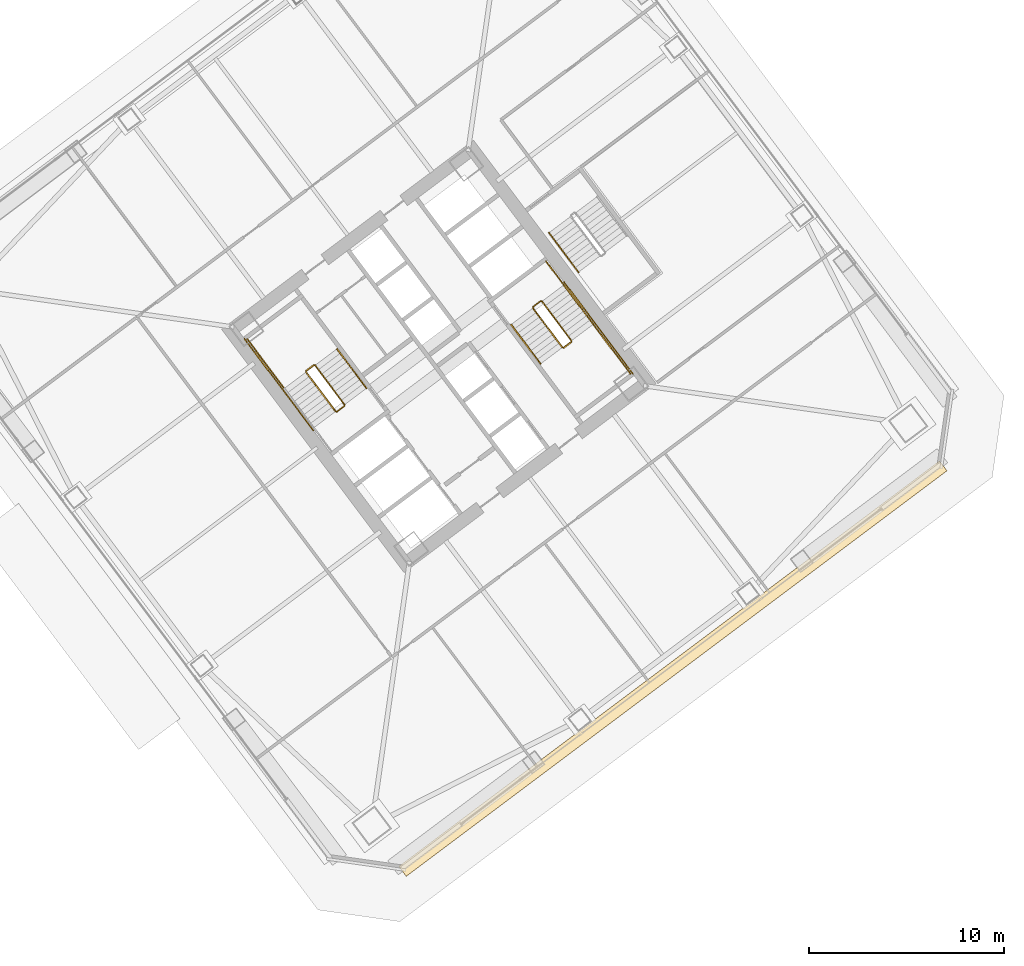
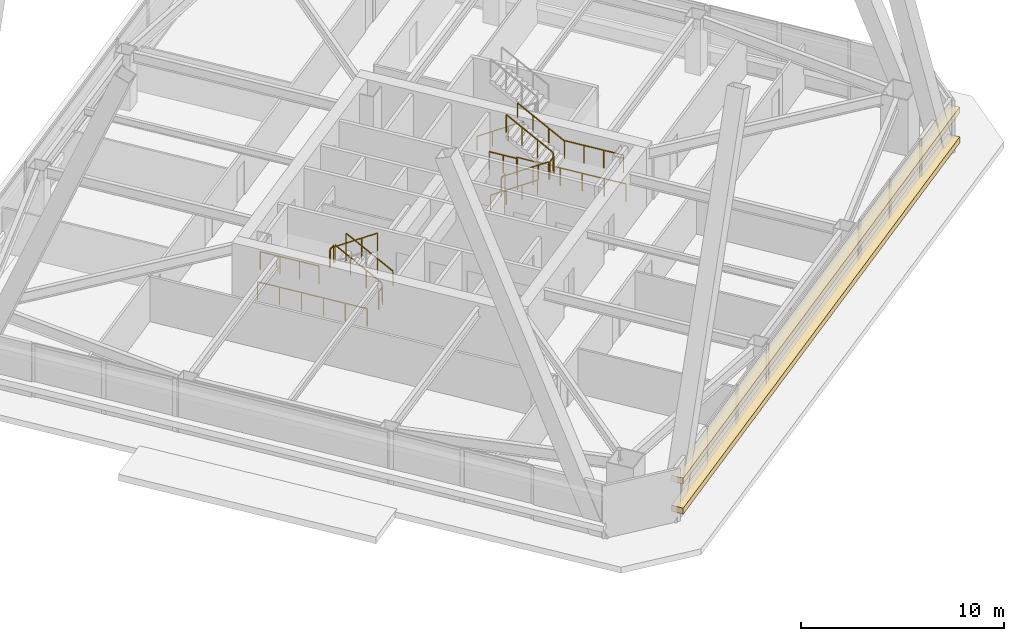
# One storey, part 64 of 67: 17 railings, 2 coverings.
"""IFC4 building model written with IfcOpenShell, lengths in metres."""

import ifcopenshell
import ifcopenshell.guid

model = None  # the IFC model being written
_history = None  # IfcOwnerHistory: only IFC2X3 demands one
_inside = {}  # id of a spatial element -> (the spatial element, [elements in it])
_under = {}  # id of a project, library or spatial element -> (it, [spatial elements below it])
_declared = {}  # id of a project -> (the project, [libraries it declares])
_typed = {}  # id of a type object -> (the type object, [elements of that type])
_made_of = {}  # id of a material, layer set ... -> (it, [elements and type objects made of it])


def new_model(schema):
    """Start an empty IFC model of exactly this schema.

    Asked for "IFC4X3", IfcOpenShell would pick the latest addendum, in which some entities
    have other attributes; the version numbers below select the first issue.
    IFC2X3 requires an IfcOwnerHistory on every rooted entity: one is made here for all.
    """
    global model, _history
    if schema == "IFC4X3":
        model = ifcopenshell.file(schema_version=(4, 3, 0, 0))
    else:
        model = ifcopenshell.file(schema=schema)
    _inside.clear()
    _under.clear()
    _declared.clear()
    _typed.clear()
    _made_of.clear()
    _history = None
    if model.schema == "IFC2X3":
        org = make("IfcOrganization", Name="unknown")
        user = make(
            "IfcPersonAndOrganization",
            ThePerson=make("IfcPerson", FamilyName="unknown"),
            TheOrganization=org,
        )
        app = make(
            "IfcApplication",
            ApplicationDeveloper=org,
            Version="unknown",
            ApplicationFullName="unknown",
            ApplicationIdentifier="unknown",
        )
        _history = make(
            "IfcOwnerHistory",
            OwningUser=user,
            OwningApplication=app,
            ChangeAction="ADDED",
            CreationDate=0,
        )
    return model


def make(cls, **values):
    """One entity of the class cls with the attributes given. An attribute that is None is left unset."""
    return model.create_entity(
        cls, **{name: value for name, value in values.items() if value is not None}
    )


def rooted(cls, **values):
    """An entity with a GlobalId (a new one), such as an element, a storey or a relation."""
    return make(cls, GlobalId=ifcopenshell.guid.new(), OwnerHistory=_history, **values)


def si_unit(unit_type, name, prefix=None):
    """IfcSIUnit, for example si_unit("LENGTHUNIT", "METRE", prefix="MILLI")."""
    return make("IfcSIUnit", UnitType=unit_type, Prefix=prefix, Name=name)


def assignment(units):
    """IfcUnitAssignment: the units of a project."""
    return None if units is None else make("IfcUnitAssignment", Units=units)


def point(xyz):
    """IfcCartesianPoint."""
    return None if xyz is None else make("IfcCartesianPoint", Coordinates=xyz)


def direction(xyz):
    """IfcDirection."""
    return None if xyz is None else make("IfcDirection", DirectionRatios=xyz)


def frame(location, z_axis=None, x_axis=None):
    """IfcAxis2Placement3D, a coordinate frame: its origin and axes. An axis left out is left unset."""
    return make(
        "IfcAxis2Placement3D",
        Location=point(location),
        Axis=direction(z_axis),
        RefDirection=direction(x_axis),
    )


def frame_2d(location, x_axis=None):
    """IfcAxis2Placement2D, a coordinate frame in the plane: its origin and x axis."""
    return make(
        "IfcAxis2Placement2D", Location=point(location), RefDirection=direction(x_axis)
    )


def origin():
    """The frame at (0, 0, 0) with its axes left unset."""
    return frame((0.0, 0.0, 0.0))


def origin_2d():
    """The frame at (0, 0) in the plane with its x axis left unset."""
    return frame_2d((0.0, 0.0))


def place(relative_to, where):
    """IfcLocalPlacement: puts the frame where relative to a parent placement (None: the world)."""
    return make(
        "IfcLocalPlacement", PlacementRelTo=relative_to, RelativePlacement=where
    )


def context(
    kind, dimensions, precision=None, world=None, true_north=None, identifier=None
):
    """IfcGeometricRepresentationContext, for example the 3D "Model" context."""
    return make(
        "IfcGeometricRepresentationContext",
        ContextIdentifier=identifier,
        ContextType=kind,
        CoordinateSpaceDimension=dimensions,
        Precision=precision,
        WorldCoordinateSystem=world,
        TrueNorth=true_north,
    )


def subcontext(parent, identifier, kind, view, scale=None):
    """IfcGeometricRepresentationSubContext, for example "Body" below "Model"."""
    return make(
        "IfcGeometricRepresentationSubContext",
        ContextIdentifier=identifier,
        ContextType=kind,
        ParentContext=parent,
        TargetScale=scale,
        TargetView=view,
    )


def project(units=None, contexts=None):
    """IfcProject with its units and contexts."""
    return rooted(
        "IfcProject",
        Name="project",
        RepresentationContexts=contexts,
        UnitsInContext=assignment(units),
    )


def spatial(cls, under=None, at=None, **own):
    """A site, building, storey or space (cls), placed at a placement, below another one or the project."""
    s = rooted(cls, ObjectPlacement=at, **own)
    if under is not None:
        _under.setdefault(under.id(), (under, []))[1].append(s)
    return s


def profile(cls, at=None, kind="AREA", **sizes):
    """A parametric profile (cls). Its sizes go by their IFC names, for example OverallWidth=200.0."""
    return make(cls, ProfileType=kind, Position=at, **sizes)


def rectangle(**sizes):
    """IfcRectangleProfileDef."""
    return profile("IfcRectangleProfileDef", **sizes)


def extrude(swept, where, along, depth):
    """IfcExtrudedAreaSolid: the profile swept, set in the frame where, extruded along a direction by depth."""
    return make(
        "IfcExtrudedAreaSolid",
        SweptArea=swept,
        Position=where,
        ExtrudedDirection=direction(along),
        Depth=depth,
    )


def shape(context_of_items, identifier, shape_type, items):
    """IfcShapeRepresentation: the items that make up one representation, for example the "Body"."""
    return make(
        "IfcShapeRepresentation",
        ContextOfItems=context_of_items,
        RepresentationIdentifier=identifier,
        RepresentationType=shape_type,
        Items=items,
    )


def material(Name=None, Category=None):
    """IfcMaterial."""
    return make("IfcMaterial", Name=Name, Category=Category)


def layer(
    of_material, thickness, ventilated=None, Name=None, Category=None, Priority=None
):
    """IfcMaterialLayer: one layer of a wall or slab, of a material (None: an air gap)."""
    return make(
        "IfcMaterialLayer",
        Material=of_material,
        LayerThickness=thickness,
        IsVentilated=ventilated,
        Name=Name,
        Category=Category,
        Priority=Priority,
    )


def layer_set(layers, Name=None):
    """IfcMaterialLayerSet."""
    return make("IfcMaterialLayerSet", MaterialLayers=layers, LayerSetName=Name)


def made_of(thing, what):
    """Note that an element or type object is made of a material, layer set ...; save() writes the relation."""
    if what is not None:
        _made_of.setdefault(what.id(), (what, []))[1].append(thing)
    return thing


def type_object(cls, material=None, **own):
    """A type object (cls), such as IfcWallType, which elements share."""
    return made_of(rooted(cls, **own), material)


def element(
    cls,
    number,
    at=None,
    inside=None,
    cuts=None,
    type_object=None,
    material=None,
    context=None,
    identifier="Body",
    shape_type=None,
    held_by="IfcProductDefinitionShape",
    body=None,
    shapes=None,
    **own,
):
    """One element of the class cls, such as IfcWall. Its Tag is "e" and its number.

    at: its placement. inside: the storey or other place that contains it. cuts: it is an
    opening in that element (IfcRelVoidsElement). A single representation is given by context,
    identifier, shape_type and body (its items); several are given by shapes. held_by: the class
    of the entity that holds the representations. save() writes the other relations.
    """
    e = rooted(cls, Tag="e%d" % number, ObjectPlacement=at, **own)
    if body is not None:
        shapes = [shape(context, identifier, shape_type, body)]
    if shapes is not None:
        e.Representation = make(held_by, Representations=shapes)
    if inside is not None:
        _inside.setdefault(inside.id(), (inside, []))[1].append(e)
    if cuts is not None:
        rooted(
            "IfcRelVoidsElement", RelatingBuildingElement=cuts, RelatedOpeningElement=e
        )
    if type_object is not None:
        _typed.setdefault(type_object.id(), (type_object, []))[1].append(e)
    return made_of(e, material)


def aggregate(whole, parts):
    """IfcRelAggregates: a whole, such as a stair, and the parts it consists of."""
    return rooted("IfcRelAggregates", RelatingObject=whole, RelatedObjects=parts)


def save(model, path):
    """Write the relations noted so far, then the file.

    IfcRelAggregates (storeys below a building ...), IfcRelContainedInSpatialStructure (elements
    in a storey), IfcRelDefinesByType, IfcRelAssociatesMaterial and IfcRelDeclares: one each for
    every whole, place, type object, material and project.
    """
    for whole, parts in _under.values():
        aggregate(whole, parts)
    for where, things in _inside.values():
        rooted(
            "IfcRelContainedInSpatialStructure",
            RelatedElements=things,
            RelatingStructure=where,
        )
    for kind, things in _typed.values():
        rooted("IfcRelDefinesByType", RelatedObjects=things, RelatingType=kind)
    for what, things in _made_of.values():
        rooted("IfcRelAssociatesMaterial", RelatedObjects=things, RelatingMaterial=what)
    for by, libraries in _declared.values():
        rooted("IfcRelDeclares", RelatingContext=by, RelatedDefinitions=libraries)
    model.write(path)


model = new_model("IFC4")

# Units and contexts
model_context = context("Model", 3, precision=1e-05, world=origin(), true_north=direction((0.0, 1.0)))
body_context = subcontext(model_context, "Body", "Model", "MODEL_VIEW")
ifc_project = project(units=[si_unit("LENGTHUNIT", "METRE"), si_unit("AREAUNIT", "SQUARE_METRE"), si_unit("VOLUMEUNIT", "CUBIC_METRE"), si_unit("PLANEANGLEUNIT", "RADIAN"), si_unit("MASSUNIT", "GRAM", prefix="KILO")], contexts=[model_context])

# Site, building, storey
site_placement = place(None, origin())
site = spatial("IfcSite", under=ifc_project, at=site_placement, CompositionType="ELEMENT")
building_placement = place(site_placement, origin())
building = spatial("IfcBuilding", under=site, at=building_placement, Name="Tashvorn Skyway Center", CompositionType="ELEMENT")
storey_placement = place(building_placement, frame((0.0, 0.0, 67.199951171875)))
storey = spatial("IfcBuildingStorey", under=building, at=storey_placement, Name="L17", CompositionType="ELEMENT", Elevation=67.199951171875)

# Coverings
ifc_material_1 = material(Name="Perforated ceramic-coated bronze aluminium solar screen", Category="aluminium")
ifc_layer = layer(ifc_material_1, 0.85009765625)
ifc_layer_set = layer_set([ifc_layer], Name="Perforated ceramic-coated bronze aluminium solar screen")
covering_type = type_object("IfcCoveringType", Name="COV-SOLAR-BAND", PredefinedType="CLADDING", material=ifc_layer_set)
for number, where, z_axis, x_axis, name in (
    (1, (126.011962890625, 15.98388671875, 0.919921875), (0.0, 0.0, 1.0), (-0.799999996291, -0.600000004945, 0.0), "L17 Perforated Ceramic-Metal Solar Screen Louvre Band South 1"),
    (2, (126.011962890625, 15.98388671875, 2.72021484375), (0.0, 0.0, 1.0), (-0.799999996291, -0.600000004945, 0.0), "L17 Perforated Ceramic-Metal Solar Screen Louvre Band South 2"),
):
    element("IfcCovering", number, at=place(storey_placement, frame(where, z_axis=z_axis, x_axis=x_axis)), inside=storey, type_object=covering_type, Name=name, PredefinedType="CLADDING", context=body_context, shape_type="SweptSolid", body=[
        extrude(rectangle(XDim=34.679931640625, YDim=0.639892578125, at=origin_2d()), origin(), (0.0, 0.0, 1.0), 0.360107421875),
    ])

# Railings
ifc_material_2 = material(Name="Brushed stainless steel 316", Category="steel")
railing_type_1 = type_object("IfcRailingType", Name="RAIL-HAND-920", PredefinedType="HANDRAIL", material=ifc_material_2)
railing_1_placement = place(storey_placement, frame((110.2880859375, 30.365966796875, 0.177490234375)))
element("IfcRailing", 3, at=railing_1_placement, inside=storey, type_object=railing_type_1, Name="L17 ST-T2-1 stair handrail 1", PredefinedType="HANDRAIL", context=body_context, shape_type="SweptSolid", body=[
    extrude(rectangle(XDim=0.048095703125, YDim=0.048095703125, at=origin_2d()), frame((0.0, 0.0, 0.8759765625), z_axis=(-0.506779409603, 0.675651334276, 0.53541563714), x_axis=(-0.799976749893, -0.600030998891, 0.0)), (0.0, 0.0, 1.0), 2.98388671875),
    extrude(rectangle(XDim=0.0419921875, YDim=0.0419921875, at=origin_2d()), origin(), (0.0, 0.0, 1.0), 0.851806640625),
    extrude(rectangle(XDim=0.0419921875, YDim=0.0419921875, at=origin_2d()), frame((-0.504150390625, 0.672119140625, 0.532470703125)), (0.0, 0.0, 1.0), 0.851806640625),
    extrude(rectangle(XDim=0.0419921875, YDim=0.0419921875, at=origin_2d()), frame((-1.008056640625, 1.343994140625, 1.065185546875)), (0.0, 0.0, 1.0), 0.851806640625),
    extrude(rectangle(XDim=0.0419921875, YDim=0.0419921875, at=origin_2d()), frame((-1.51220703125, 2.01611328125, 1.59765625)), (0.0, 0.0, 1.0), 0.851806640625),
])
railing_2_placement = place(storey_placement, frame((117.7119140625, 33.634033203125, 0.177490234375)))
element("IfcRailing", 4, at=railing_2_placement, inside=storey, type_object=railing_type_1, Name="L17 ST-T2-2 stair handrail 1", PredefinedType="HANDRAIL", context=body_context, shape_type="SweptSolid", body=[
    extrude(rectangle(XDim=0.048095703125, YDim=0.048095703125, at=origin_2d()), frame((0.0, 0.0, 0.8759765625), z_axis=(0.506779409603, -0.675651334276, 0.53541563714), x_axis=(0.799976749893, 0.600030998891, 0.0)), (0.0, 0.0, 1.0), 2.98388671875),
    extrude(rectangle(XDim=0.0419921875, YDim=0.0419921875, at=origin_2d()), origin(), (0.0, 0.0, 1.0), 0.851806640625),
    extrude(rectangle(XDim=0.0419921875, YDim=0.0419921875, at=origin_2d()), frame((0.504150390625, -0.672119140625, 0.532470703125)), (0.0, 0.0, 1.0), 0.851806640625),
    extrude(rectangle(XDim=0.0419921875, YDim=0.0419921875, at=origin_2d()), frame((1.008056640625, -1.343994140625, 1.065185546875)), (0.0, 0.0, 1.0), 0.851806640625),
    extrude(rectangle(XDim=0.0419921875, YDim=0.0419921875, at=origin_2d()), frame((1.51220703125, -2.01611328125, 1.59765625)), (0.0, 0.0, 1.0), 0.851806640625),
])
railing_3_placement = place(storey_placement, frame((121.927978515625, 33.64599609375, 1.95263671875)))
element("IfcRailing", 5, at=railing_3_placement, inside=storey, type_object=railing_type_1, Name="L17 ST-T2-2 stair handrail 2", PredefinedType="HANDRAIL", context=body_context, shape_type="SweptSolid", body=[
    extrude(rectangle(XDim=0.048095703125, YDim=0.048095703125, at=origin_2d()), frame((0.0, 0.0, 0.8759765625), z_axis=(-0.506740800098, 0.675708949977, 0.535379469569), x_axis=(-0.800023250257, -0.599968998406, 0.0)), (0.0, 0.0, 1.0), 2.983642578125),
    extrude(rectangle(XDim=0.0419921875, YDim=0.0419921875, at=origin_2d()), origin(), (0.0, 0.0, 1.0), 0.851806640625),
    extrude(rectangle(XDim=0.0419921875, YDim=0.0419921875, at=origin_2d()), frame((-0.50390625, 0.672119140625, 0.532470703125)), (0.0, 0.0, 1.0), 0.851806640625),
    extrude(rectangle(XDim=0.0419921875, YDim=0.0419921875, at=origin_2d()), frame((-1.008056640625, 1.343994140625, 1.06494140625)), (0.0, 0.0, 1.0), 0.851806640625),
    extrude(rectangle(XDim=0.0419921875, YDim=0.0419921875, at=origin_2d()), frame((-1.511962890625, 2.01611328125, 1.597412109375)), (0.0, 0.0, 1.0), 0.851806640625),
])
railing_4_placement = place(storey_placement, frame((119.656005859375, 38.342041015625, 0.177490234375)))
element("IfcRailing", 6, at=railing_4_placement, inside=storey, type_object=railing_type_1, Name="L17 ST-T2-3 stair handrail 1", PredefinedType="HANDRAIL", context=body_context, shape_type="SweptSolid", body=[
    extrude(rectangle(XDim=0.048095703125, YDim=0.048095703125, at=origin_2d()), frame((0.0, 0.0, 0.8759765625), z_axis=(0.506718600913, -0.675679348675, 0.535437836974), x_axis=(0.800023250257, 0.599968998406, 0.0)), (0.0, 0.0, 1.0), 2.98388671875),
    extrude(rectangle(XDim=0.0419921875, YDim=0.0419921875, at=origin_2d()), origin(), (0.0, 0.0, 1.0), 0.851806640625),
    extrude(rectangle(XDim=0.0419921875, YDim=0.0419921875, at=origin_2d()), frame((0.50390625, -0.672119140625, 0.532470703125)), (0.0, 0.0, 1.0), 0.851806640625),
    extrude(rectangle(XDim=0.0419921875, YDim=0.0419921875, at=origin_2d()), frame((1.008056640625, -1.343994140625, 1.065185546875)), (0.0, 0.0, 1.0), 0.851806640625),
    extrude(rectangle(XDim=0.0419921875, YDim=0.0419921875, at=origin_2d()), frame((1.511962890625, -2.01611328125, 1.59765625)), (0.0, 0.0, 1.0), 0.851806640625),
])
ifc_material_3 = material(Name="Painted galvanized steel S355", Category="steel")
railing_type_2 = type_object("IfcRailingType", Name="RAIL-STGUARD-1100", PredefinedType="GUARDRAIL", material=ifc_material_3)
railing_5_placement = place(storey_placement, frame((109.16796875, 29.52587890625, 0.177490234375)))
element("IfcRailing", 7, at=railing_5_placement, inside=storey, type_object=railing_type_2, Name="L17 ST-T2-1 stair guard 1", PredefinedType="GUARDRAIL", context=body_context, shape_type="SweptSolid", body=[
    extrude(rectangle(XDim=0.048095703125, YDim=0.048095703125, at=origin_2d()), frame((0.0, 0.0, 1.076171875), z_axis=(-0.506718600913, 0.675679348675, 0.535437836974), x_axis=(-0.800023250257, -0.599968998406, 0.0)), (0.0, 0.0, 1.0), 2.98388671875),
    extrude(rectangle(XDim=0.0419921875, YDim=0.0419921875, at=origin_2d()), origin(), (0.0, 0.0, 1.0), 1.052001953125),
    extrude(rectangle(XDim=0.0419921875, YDim=0.0419921875, at=origin_2d()), frame((-0.50390625, 0.672119140625, 0.532470703125)), (0.0, 0.0, 1.0), 1.052001953125),
    extrude(rectangle(XDim=0.0419921875, YDim=0.0419921875, at=origin_2d()), frame((-1.008056640625, 1.343994140625, 1.065185546875)), (0.0, 0.0, 1.0), 1.052001953125),
    extrude(rectangle(XDim=0.0419921875, YDim=0.0419921875, at=origin_2d()), frame((-1.511962890625, 2.01611328125, 1.59765625)), (0.0, 0.0, 1.0), 1.052001953125),
])
railing_6_placement = place(storey_placement, frame((107.5859375, 31.552001953125, 1.775146484375)))
element("IfcRailing", 8, at=railing_6_placement, inside=storey, type_object=railing_type_2, Name="L17 ST-T2-1 stair guard 2", PredefinedType="GUARDRAIL", context=body_context, shape_type="SweptSolid", body=[
    extrude(rectangle(XDim=0.048095703125, YDim=0.048095703125, at=origin_2d()), frame((0.0, 0.0, 1.076171875), z_axis=(-0.799938970639, -0.600081363861, 0.0), x_axis=(0.600081363861, -0.799938970639, 0.0)), (0.0, 0.0, 1.0), 0.47998046875),
    extrude(rectangle(XDim=0.0419921875, YDim=0.0419921875, at=origin_2d()), origin(), (0.0, 0.0, 1.0), 1.052001953125),
    extrude(rectangle(XDim=0.0419921875, YDim=0.0419921875, at=origin_2d()), frame((-0.384033203125, -0.2880859375, 0.0)), (0.0, 0.0, 1.0), 1.052001953125),
])
railing_7_placement = place(storey_placement, frame((106.072021484375, 30.35400390625, 1.775146484375)))
element("IfcRailing", 9, at=railing_7_placement, inside=storey, type_object=railing_type_2, Name="L17 ST-T2-1 stair guard 3", PredefinedType="GUARDRAIL", context=body_context, shape_type="SweptSolid", body=[
    extrude(rectangle(XDim=0.048095703125, YDim=0.048095703125, at=origin_2d()), frame((0.0, 0.0, 1.076171875), z_axis=(-0.599987638607, 0.800009270896, 0.0), x_axis=(-0.800009270896, -0.599987638607, 0.0)), (0.0, 0.0, 1.0), 3.16015625),
    extrude(rectangle(XDim=0.0419921875, YDim=0.0419921875, at=origin_2d()), origin(), (0.0, 0.0, 1.0), 1.052001953125),
    extrude(rectangle(XDim=0.0419921875, YDim=0.0419921875, at=origin_2d()), frame((-0.632080078125, 0.8427734375, 0.0)), (0.0, 0.0, 1.0), 1.052001953125),
    extrude(rectangle(XDim=0.0419921875, YDim=0.0419921875, at=origin_2d()), frame((-1.263916015625, 1.685302734375, 0.0)), (0.0, 0.0, 1.0), 1.052001953125),
    extrude(rectangle(XDim=0.0419921875, YDim=0.0419921875, at=origin_2d()), frame((-1.89599609375, 2.528076171875, 0.0)), (0.0, 0.0, 1.0), 1.052001953125),
])
railing_8_placement = place(storey_placement, frame((107.19189453125, 31.194091796875, 1.95263671875)))
element("IfcRailing", 10, at=railing_8_placement, inside=storey, type_object=railing_type_2, Name="L17 ST-T2-1 stair guard 4", PredefinedType="GUARDRAIL", context=body_context, shape_type="SweptSolid", body=[
    extrude(rectangle(XDim=0.048095703125, YDim=0.048095703125, at=origin_2d()), frame((0.0, 0.0, 1.076171875), z_axis=(0.506801609611, -0.675680931896, 0.535357270211), x_axis=(0.799976749893, 0.600030998891, 0.0)), (0.0, 0.0, 1.0), 2.98388671875),
    extrude(rectangle(XDim=0.0419921875, YDim=0.0419921875, at=origin_2d()), origin(), (0.0, 0.0, 1.0), 1.052001953125),
    extrude(rectangle(XDim=0.0419921875, YDim=0.0419921875, at=origin_2d()), frame((0.504150390625, -0.672119140625, 0.532470703125)), (0.0, 0.0, 1.0), 1.052001953125),
    extrude(rectangle(XDim=0.0419921875, YDim=0.0419921875, at=origin_2d()), frame((1.008056640625, -1.343994140625, 1.06494140625)), (0.0, 0.0, 1.0), 1.052001953125),
    extrude(rectangle(XDim=0.0419921875, YDim=0.0419921875, at=origin_2d()), frame((1.51220703125, -2.01611328125, 1.597412109375)), (0.0, 0.0, 1.0), 1.052001953125),
])
railing_9_placement = place(storey_placement, frame((109.157958984375, 29.4560546875, 0.0)))
element("IfcRailing", 11, at=railing_9_placement, inside=storey, type_object=railing_type_2, Name="L17 ST-T2-1 stair guard 5", PredefinedType="GUARDRAIL", context=body_context, shape_type="SweptSolid", body=[
    extrude(rectangle(XDim=0.048095703125, YDim=0.048095703125, at=origin_2d()), frame((0.0, 0.0, 1.076171875), z_axis=(-0.799938970639, -0.600081363861, 0.0), x_axis=(0.600081363861, -0.799938970639, 0.0)), (0.0, 0.0, 1.0), 0.47998046875),
    extrude(rectangle(XDim=0.0419921875, YDim=0.0419921875, at=origin_2d()), origin(), (0.0, 0.0, 1.0), 1.052001953125),
    extrude(rectangle(XDim=0.0419921875, YDim=0.0419921875, at=origin_2d()), frame((-0.384033203125, -0.2880859375, 0.0)), (0.0, 0.0, 1.0), 1.052001953125),
])
railing_10_placement = place(storey_placement, frame((107.56396484375, 28.197998046875, 0.0)))
element("IfcRailing", 12, at=railing_10_placement, inside=storey, type_object=railing_type_2, Name="L17 ST-T2-1 stair guard 7", PredefinedType="GUARDRAIL", context=body_context, shape_type="SweptSolid", body=[
    extrude(rectangle(XDim=0.048095703125, YDim=0.048095703125, at=origin_2d()), frame((0.0, 0.0, 1.076171875), z_axis=(-0.6, 0.8, 0.0), x_axis=(-0.8, -0.6, 0.0)), (0.0, 0.0, 1.0), 5.880126953125),
    extrude(rectangle(XDim=0.0419921875, YDim=0.0419921875, at=origin_2d()), origin(), (0.0, 0.0, 1.0), 1.052001953125),
    extrude(rectangle(XDim=0.0419921875, YDim=0.0419921875, at=origin_2d()), frame((-0.70556640625, 0.94091796875, 0.0)), (0.0, 0.0, 1.0), 1.052001953125),
    extrude(rectangle(XDim=0.0419921875, YDim=0.0419921875, at=origin_2d()), frame((-1.4111328125, 1.881591796875, 0.0)), (0.0, 0.0, 1.0), 1.052001953125),
    extrude(rectangle(XDim=0.0419921875, YDim=0.0419921875, at=origin_2d()), frame((-2.116943359375, 2.822509765625, 0.0)), (0.0, 0.0, 1.0), 1.052001953125),
    extrude(rectangle(XDim=0.0419921875, YDim=0.0419921875, at=origin_2d()), frame((-2.822509765625, 3.76318359375, 0.0)), (0.0, 0.0, 1.0), 1.052001953125),
    extrude(rectangle(XDim=0.0419921875, YDim=0.0419921875, at=origin_2d()), frame((-3.528076171875, 4.7041015625, 0.0)), (0.0, 0.0, 1.0), 1.052001953125),
])
railing_11_placement = place(storey_placement, frame((118.83203125, 34.47412109375, 0.177490234375)))
element("IfcRailing", 13, at=railing_11_placement, inside=storey, type_object=railing_type_2, Name="L17 ST-T2-2 stair guard 1", PredefinedType="GUARDRAIL", context=body_context, shape_type="SweptSolid", body=[
    extrude(rectangle(XDim=0.048095703125, YDim=0.048095703125, at=origin_2d()), frame((0.0, 0.0, 1.076171875), z_axis=(0.506718600913, -0.675679348675, 0.535437836974), x_axis=(0.800023250257, 0.599968998406, 0.0)), (0.0, 0.0, 1.0), 2.98388671875),
    extrude(rectangle(XDim=0.0419921875, YDim=0.0419921875, at=origin_2d()), origin(), (0.0, 0.0, 1.0), 1.052001953125),
    extrude(rectangle(XDim=0.0419921875, YDim=0.0419921875, at=origin_2d()), frame((0.50390625, -0.672119140625, 0.532470703125)), (0.0, 0.0, 1.0), 1.052001953125),
    extrude(rectangle(XDim=0.0419921875, YDim=0.0419921875, at=origin_2d()), frame((1.008056640625, -1.343994140625, 1.065185546875)), (0.0, 0.0, 1.0), 1.052001953125),
    extrude(rectangle(XDim=0.0419921875, YDim=0.0419921875, at=origin_2d()), frame((1.511962890625, -2.01611328125, 1.59765625)), (0.0, 0.0, 1.0), 1.052001953125),
])
railing_12_placement = place(storey_placement, frame((120.4140625, 32.447998046875, 1.775146484375)))
element("IfcRailing", 14, at=railing_12_placement, inside=storey, type_object=railing_type_2, Name="L17 ST-T2-2 stair guard 2", PredefinedType="GUARDRAIL", context=body_context, shape_type="SweptSolid", body=[
    extrude(rectangle(XDim=0.048095703125, YDim=0.048095703125, at=origin_2d()), frame((0.0, 0.0, 1.076171875), z_axis=(0.799938970639, 0.600081363861, 0.0), x_axis=(-0.600081363861, 0.799938970639, 0.0)), (0.0, 0.0, 1.0), 0.47998046875),
    extrude(rectangle(XDim=0.0419921875, YDim=0.0419921875, at=origin_2d()), origin(), (0.0, 0.0, 1.0), 1.052001953125),
    extrude(rectangle(XDim=0.0419921875, YDim=0.0419921875, at=origin_2d()), frame((0.384033203125, 0.2880859375, 0.0)), (0.0, 0.0, 1.0), 1.052001953125),
])
railing_13_placement = place(storey_placement, frame((121.927978515625, 33.64599609375, 1.775146484375)))
element("IfcRailing", 15, at=railing_13_placement, inside=storey, type_object=railing_type_2, Name="L17 ST-T2-2 stair guard 3", PredefinedType="GUARDRAIL", context=body_context, shape_type="SweptSolid", body=[
    extrude(rectangle(XDim=0.048095703125, YDim=0.048095703125, at=origin_2d()), frame((0.0, 0.0, 1.076171875), z_axis=(0.599987638607, -0.800009270896, 0.0), x_axis=(0.800009270896, 0.599987638607, 0.0)), (0.0, 0.0, 1.0), 3.16015625),
    extrude(rectangle(XDim=0.0419921875, YDim=0.0419921875, at=origin_2d()), origin(), (0.0, 0.0, 1.0), 1.052001953125),
    extrude(rectangle(XDim=0.0419921875, YDim=0.0419921875, at=origin_2d()), frame((0.632080078125, -0.8427734375, 0.0)), (0.0, 0.0, 1.0), 1.052001953125),
    extrude(rectangle(XDim=0.0419921875, YDim=0.0419921875, at=origin_2d()), frame((1.263916015625, -1.685302734375, 0.0)), (0.0, 0.0, 1.0), 1.052001953125),
    extrude(rectangle(XDim=0.0419921875, YDim=0.0419921875, at=origin_2d()), frame((1.89599609375, -2.528076171875, 0.0)), (0.0, 0.0, 1.0), 1.052001953125),
])
railing_14_placement = place(storey_placement, frame((120.80810546875, 32.805908203125, 1.95263671875)))
element("IfcRailing", 16, at=railing_14_placement, inside=storey, type_object=railing_type_2, Name="L17 ST-T2-2 stair guard 4", PredefinedType="GUARDRAIL", context=body_context, shape_type="SweptSolid", body=[
    extrude(rectangle(XDim=0.048095703125, YDim=0.048095703125, at=origin_2d()), frame((0.0, 0.0, 1.076171875), z_axis=(-0.506801609611, 0.675680931896, 0.535357270211), x_axis=(-0.799976749893, -0.600030998891, 0.0)), (0.0, 0.0, 1.0), 2.98388671875),
    extrude(rectangle(XDim=0.0419921875, YDim=0.0419921875, at=origin_2d()), origin(), (0.0, 0.0, 1.0), 1.052001953125),
    extrude(rectangle(XDim=0.0419921875, YDim=0.0419921875, at=origin_2d()), frame((-0.504150390625, 0.672119140625, 0.532470703125)), (0.0, 0.0, 1.0), 1.052001953125),
    extrude(rectangle(XDim=0.0419921875, YDim=0.0419921875, at=origin_2d()), frame((-1.008056640625, 1.343994140625, 1.06494140625)), (0.0, 0.0, 1.0), 1.052001953125),
    extrude(rectangle(XDim=0.0419921875, YDim=0.0419921875, at=origin_2d()), frame((-1.51220703125, 2.01611328125, 1.597412109375)), (0.0, 0.0, 1.0), 1.052001953125),
])
railing_15_placement = place(storey_placement, frame((118.842041015625, 34.5439453125, 0.0)))
element("IfcRailing", 17, at=railing_15_placement, inside=storey, type_object=railing_type_2, Name="L17 ST-T2-2 stair guard 5", PredefinedType="GUARDRAIL", context=body_context, shape_type="SweptSolid", body=[
    extrude(rectangle(XDim=0.048095703125, YDim=0.048095703125, at=origin_2d()), frame((0.0, 0.0, 1.076171875), z_axis=(0.799938970639, 0.600081363861, 0.0), x_axis=(-0.600081363861, 0.799938970639, 0.0)), (0.0, 0.0, 1.0), 0.47998046875),
    extrude(rectangle(XDim=0.0419921875, YDim=0.0419921875, at=origin_2d()), origin(), (0.0, 0.0, 1.0), 1.052001953125),
    extrude(rectangle(XDim=0.0419921875, YDim=0.0419921875, at=origin_2d()), frame((0.384033203125, 0.2880859375, 0.0)), (0.0, 0.0, 1.0), 1.052001953125),
])
railing_16_placement = place(storey_placement, frame((119.50390625, 36.8779296875, 0.0)))
element("IfcRailing", 18, at=railing_16_placement, inside=storey, type_object=railing_type_2, Name="L17 ST-T2-2 stair guard 6", PredefinedType="GUARDRAIL", context=body_context, shape_type="SweptSolid", body=[
    extrude(rectangle(XDim=0.048095703125, YDim=0.048095703125, at=origin_2d()), frame((0.0, 0.0, 1.076171875), z_axis=(0.600102796382, -0.799922892393, 0.0), x_axis=(0.799922892393, 0.600102796382, 0.0)), (0.0, 0.0, 1.0), 1.52001953125),
    extrude(rectangle(XDim=0.0419921875, YDim=0.0419921875, at=origin_2d()), origin(), (0.0, 0.0, 1.0), 1.052001953125),
    extrude(rectangle(XDim=0.0419921875, YDim=0.0419921875, at=origin_2d()), frame((0.4560546875, -0.60791015625, 0.0)), (0.0, 0.0, 1.0), 1.052001953125),
    extrude(rectangle(XDim=0.0419921875, YDim=0.0419921875, at=origin_2d()), frame((0.912109375, -1.2158203125, 0.0)), (0.0, 0.0, 1.0), 1.052001953125),
])
railing_17_placement = place(storey_placement, frame((120.43603515625, 35.802001953125, 0.0)))
element("IfcRailing", 19, at=railing_17_placement, inside=storey, type_object=railing_type_2, Name="L17 ST-T2-2 stair guard 7", PredefinedType="GUARDRAIL", context=body_context, shape_type="SweptSolid", body=[
    extrude(rectangle(XDim=0.048095703125, YDim=0.048095703125, at=origin_2d()), frame((0.0, 0.0, 1.076171875), z_axis=(0.6, -0.8, 0.0), x_axis=(0.8, 0.6, 0.0)), (0.0, 0.0, 1.0), 5.880126953125),
    extrude(rectangle(XDim=0.0419921875, YDim=0.0419921875, at=origin_2d()), origin(), (0.0, 0.0, 1.0), 1.052001953125),
    extrude(rectangle(XDim=0.0419921875, YDim=0.0419921875, at=origin_2d()), frame((0.70556640625, -0.94091796875, 0.0)), (0.0, 0.0, 1.0), 1.052001953125),
    extrude(rectangle(XDim=0.0419921875, YDim=0.0419921875, at=origin_2d()), frame((1.4111328125, -1.881591796875, 0.0)), (0.0, 0.0, 1.0), 1.052001953125),
    extrude(rectangle(XDim=0.0419921875, YDim=0.0419921875, at=origin_2d()), frame((2.116943359375, -2.822509765625, 0.0)), (0.0, 0.0, 1.0), 1.052001953125),
    extrude(rectangle(XDim=0.0419921875, YDim=0.0419921875, at=origin_2d()), frame((2.822509765625, -3.76318359375, 0.0)), (0.0, 0.0, 1.0), 1.052001953125),
    extrude(rectangle(XDim=0.0419921875, YDim=0.0419921875, at=origin_2d()), frame((3.528076171875, -4.7041015625, 0.0)), (0.0, 0.0, 1.0), 1.052001953125),
])

save(model, "model.ifc")
